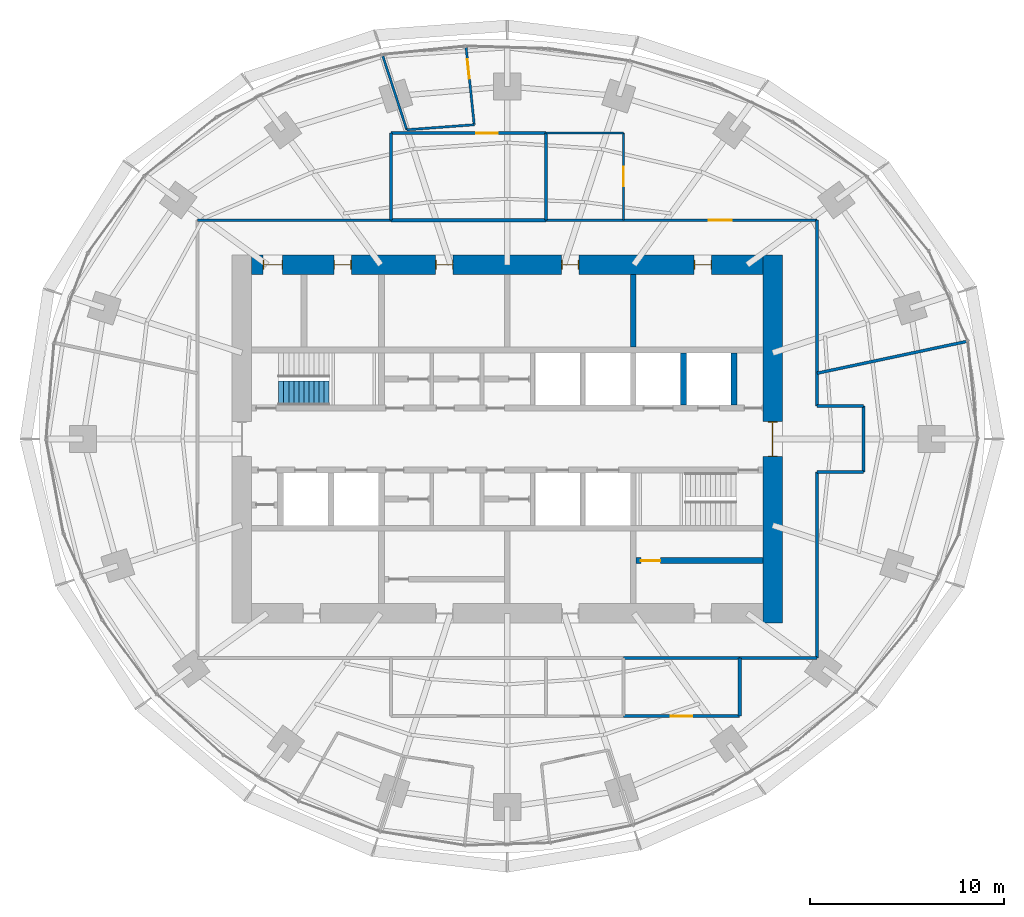
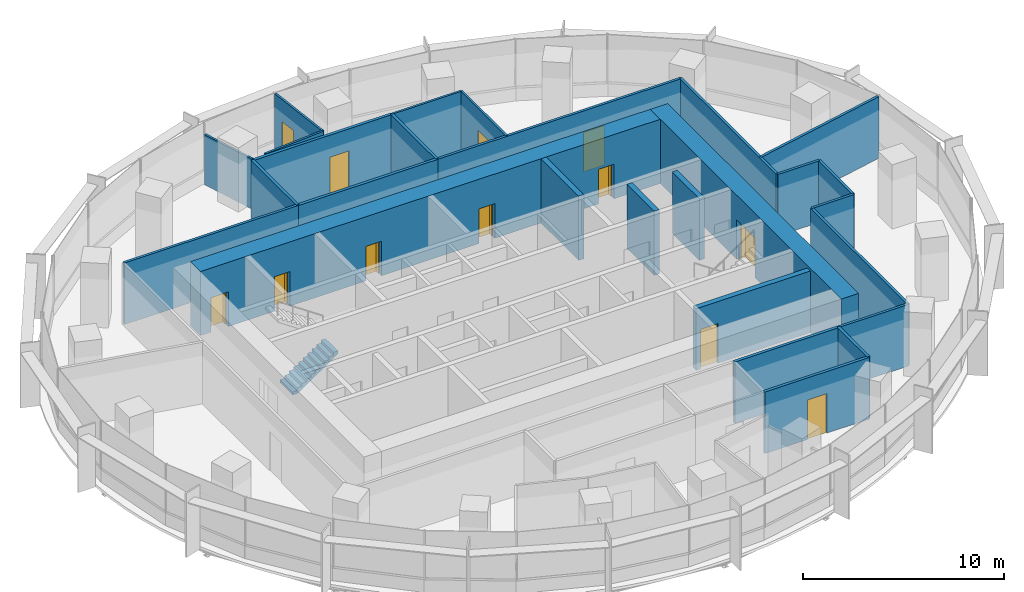
# One storey, part 12 of 15: 27 walls, 12 doors, 1 stair flight, 12 openings, 1 element without a shape of its own.
"""IFC4 building model written with IfcOpenShell, lengths in metres."""

from ifc_helpers import new_model, si_unit, direction, frame, frame_2d, origin, place, context, subcontext, project, spatial, polyline, rectangle, outline, extrude, material, layer, layer_set, type_object, element, fill, aggregate, save


model = new_model("IFC4")

# Units and contexts
model_context = context("Model", 3, precision=1e-05, world=origin(), true_north=direction((0.0, 1.0)))
body_context = subcontext(model_context, "Body", "Model", "MODEL_VIEW")
ifc_project = project(units=[si_unit("LENGTHUNIT", "METRE"), si_unit("AREAUNIT", "SQUARE_METRE"), si_unit("VOLUMEUNIT", "CUBIC_METRE"), si_unit("PLANEANGLEUNIT", "RADIAN"), si_unit("MASSUNIT", "GRAM", prefix="KILO")], contexts=[model_context])

# Site, building, storey
site_placement = place(None, origin())
site = spatial("IfcSite", under=ifc_project, at=site_placement, CompositionType="ELEMENT")
building_placement = place(site_placement, origin())
building = spatial("IfcBuilding", under=site, at=building_placement, Name="Marramba Exchange Tower", CompositionType="ELEMENT")
storey_placement = place(building_placement, frame((0.0, 0.0, 230.60009765625)))
storey = spatial("IfcBuildingStorey", under=building, at=storey_placement, Name="L56", CompositionType="ELEMENT", Elevation=230.60009765625)

# Wall, opening, door
ifc_material_1 = material(Name="Plasterboard on staggered double steel studs, acoustic insulation", Category="steel")
ifc_layer_1 = layer(ifc_material_1, 0.169921875)
ifc_layer_set_1 = layer_set([ifc_layer_1], Name="Acoustic partition 170")
wall_type_1 = type_object("IfcWallType", Name="Acoustic partition 170", PredefinedType="PARTITIONING", material=ifc_layer_set_1)
wall_1_placement = place(storey_placement, frame((6.0, -14.300048828125, 0.0), z_axis=(0.0, 0.0, 1.0), x_axis=(1.0, 0.0, 0.0)))
wall_1 = element("IfcWall", 1, at=wall_1_placement, inside=storey, type_object=wall_type_1, Name="Acoustic partition L56 17", PredefinedType="PARTITIONING", context=body_context, shape_type="SweptSolid", body=[
    extrude(rectangle(XDim=6.0, YDim=0.169921875, at=frame_2d((3.0, 0.0))), origin(), (0.0, 0.0, 1.0), 3.739990234375),
])
opening_1_placement = place(wall_1_placement, frame((2.449951171875, 0.0, 0.0)))
opening_1 = element("IfcOpeningElement", 2, at=opening_1_placement, cuts=wall_1, Name="Opening D15", PredefinedType="OPENING", context=body_context, shape_type="SweptSolid", body=[
    extrude(rectangle(XDim=1.10009765625, YDim=2.39990234375, at=frame_2d((0.550048828125, 1.199951171875))), frame((0.0, 0.094970703125, 0.0), z_axis=(0.0, -1.0, 0.0), x_axis=(1.0, 0.0, 0.0)), (0.0, 0.0, 1.0), 0.18994140625),
])
ifc_material_2 = material(Name="Timber door", Category="wood")
door_type_1 = type_object("IfcDoorType", Name="Glazed meeting room door 1100x2400", OperationType="SINGLE_SWING_LEFT", PredefinedType="DOOR", material=ifc_material_2)
door_1_placement = place(opening_1_placement, origin())
door_1 = element("IfcDoor", 3, at=door_1_placement, inside=storey, type_object=door_type_1, Name="D15 Meeting Room 3 L56", OperationType="SINGLE_SWING_RIGHT", OverallHeight=2.39990234375, OverallWidth=1.10009765625, PredefinedType="DOOR", context=body_context, shape_type="SweptSolid", body=[
    extrude(rectangle(XDim=1.10009765625, YDim=2.39990234375, at=frame_2d((0.550048828125, 1.199951171875))), frame((0.0, 0.02490234375, 0.0), z_axis=(0.0, -1.0, 0.0), x_axis=(1.0, 0.0, 0.0)), (0.0, 0.0, 1.0), 0.050048828125),
])
fill(opening_1, door_1)

# Walls
wall_2_placement = place(storey_placement, frame((12.0, -11.300048828125, 0.0), z_axis=(0.0, 0.0, 1.0), x_axis=(-1.0, 0.0, 0.0)))
element("IfcWall", 4, at=wall_2_placement, inside=storey, type_object=wall_type_1, Name="Acoustic partition L56 18", PredefinedType="PARTITIONING", context=body_context, shape_type="SweptSolid", body=[
    extrude(rectangle(XDim=6.0, YDim=0.169921875, at=frame_2d((3.0, 0.0))), origin(), (0.0, 0.0, 1.0), 3.739990234375),
])
wall_3_placement = place(storey_placement, frame((12.0, -14.300048828125, 0.0), z_axis=(0.0, 0.0, 1.0), x_axis=(0.0, 1.0, 0.0)))
element("IfcWall", 5, at=wall_3_placement, inside=storey, type_object=wall_type_1, Name="Acoustic partition L56 19", PredefinedType="PARTITIONING", context=body_context, shape_type="SweptSolid", body=[
    extrude(rectangle(XDim=3.0, YDim=0.169921875, at=frame_2d((1.5, 0.0))), origin(), (0.0, 0.0, 1.0), 3.739990234375),
])
wall_4_placement = place(storey_placement, frame((2.0, 15.800048828125, 0.0), z_axis=(0.0, 0.0, 1.0), x_axis=(0.0, -1.0, 0.0)))
element("IfcWall", 6, at=wall_4_placement, inside=storey, type_object=wall_type_1, Name="Acoustic partition L56 30", PredefinedType="PARTITIONING", context=body_context, shape_type="SweptSolid", body=[
    extrude(rectangle(XDim=4.5, YDim=0.169921875, at=frame_2d((2.25, 0.0))), origin(), (0.0, 0.0, 1.0), 3.739990234375),
])

# Wall, opening, door
wall_5_placement = place(storey_placement, frame((2.0, 15.800048828125, 0.0), z_axis=(0.0, 0.0, 1.0), x_axis=(-1.0, 0.0, 0.0)))
wall_5 = element("IfcWall", 7, at=wall_5_placement, inside=storey, type_object=wall_type_1, Name="Acoustic partition L56 32", PredefinedType="PARTITIONING", context=body_context, shape_type="SweptSolid", body=[
    extrude(rectangle(XDim=8.0, YDim=0.169921875, at=frame_2d((4.0, 0.0))), origin(), (0.0, 0.0, 1.0), 3.739990234375),
])
opening_2_placement = place(wall_5_placement, frame((2.5, 0.0, 0.0)))
opening_2 = element("IfcOpeningElement", 8, at=opening_2_placement, cuts=wall_5, Name="Opening D15", PredefinedType="OPENING", context=body_context, shape_type="SweptSolid", body=[
    extrude(rectangle(XDim=1.10009765625, YDim=2.39990234375, at=frame_2d((0.550048828125, 1.199951171875))), frame((0.0, 0.094970703125, 0.0), z_axis=(0.0, -1.0, 0.0), x_axis=(1.0, 0.0, 0.0)), (0.0, 0.0, 1.0), 0.18994140625),
])
door_2_placement = place(opening_2_placement, origin())
door_2 = element("IfcDoor", 9, at=door_2_placement, inside=storey, type_object=door_type_1, Name="D15 Meeting Room 1 L56", OperationType="SINGLE_SWING_LEFT", OverallHeight=2.39990234375, OverallWidth=1.10009765625, PredefinedType="DOOR", context=body_context, shape_type="SweptSolid", body=[
    extrude(rectangle(XDim=1.10009765625, YDim=2.39990234375, at=frame_2d((0.550048828125, 1.199951171875))), frame((0.0, 0.02490234375, 0.0), z_axis=(0.0, -1.0, 0.0), x_axis=(1.0, 0.0, 0.0)), (0.0, 0.0, 1.0), 0.050048828125),
])
fill(opening_2, door_2)

# Walls
wall_6_placement = place(storey_placement, frame((-6.0, 11.300048828125, 0.0), z_axis=(0.0, 0.0, 1.0), x_axis=(1.0, 0.0, 0.0)))
element("IfcWall", 10, at=wall_6_placement, inside=storey, type_object=wall_type_1, Name="Acoustic partition L56 33", PredefinedType="PARTITIONING", context=body_context, shape_type="SweptSolid", body=[
    extrude(rectangle(XDim=8.0, YDim=0.169921875, at=frame_2d((4.0, 0.0))), origin(), (0.0, 0.0, 1.0), 3.739990234375),
])
wall_7_placement = place(storey_placement, frame((-6.0, 15.800048828125, 0.0), z_axis=(0.0, 0.0, 1.0), x_axis=(0.0, -1.0, 0.0)))
element("IfcWall", 11, at=wall_7_placement, inside=storey, type_object=wall_type_1, Name="Acoustic partition L56 36", PredefinedType="PARTITIONING", context=body_context, shape_type="SweptSolid", body=[
    extrude(rectangle(XDim=4.5, YDim=0.169921875, at=frame_2d((2.25, 0.0))), origin(), (0.0, 0.0, 1.0), 3.739990234375),
])

# Wall, openings, doors
ifc_material_3 = material(Name="Concrete N50", Category="concrete")
ifc_layer_2 = layer(ifc_material_3, 1.0)
ifc_layer_set_2 = layer_set([ifc_layer_2], Name="Core wall 1000")
wall_type_2 = type_object("IfcWallType", Name="Core wall 1000", PredefinedType="SHEAR", material=ifc_layer_set_2)
wall_8_placement = place(storey_placement, frame((13.199951171875, 9.0, 0.0), z_axis=(0.0, 0.0, 1.0), x_axis=(-1.0, 0.0, 0.0)))
wall_8 = element("IfcWall", 12, at=wall_8_placement, inside=storey, type_object=wall_type_2, Name="Core wall N L56", PredefinedType="SHEAR", context=body_context, shape_type="SweptSolid", body=[
    extrude(rectangle(XDim=26.39990234375, YDim=1.0, at=frame_2d((13.199951171875, 0.0))), origin(), (0.0, 0.0, 1.0), 3.89990234375),
])
opening_3_placement = place(wall_8_placement, frame((2.64990234375, 0.0, 0.0)))
opening_3 = element("IfcOpeningElement", 13, at=opening_3_placement, cuts=wall_8, Name="Opening D5", PredefinedType="OPENING", context=body_context, shape_type="SweptSolid", body=[
    extrude(rectangle(XDim=0.89990234375, YDim=2.10009765625, at=frame_2d((0.449951171875, 1.050048828125))), frame((0.0, 0.510009765625, 0.0), z_axis=(0.0, -1.0, 0.0), x_axis=(1.0, 0.0, 0.0)), (0.0, 0.0, 1.0), 1.02001953125),
])
opening_4_placement = place(wall_8_placement, frame((9.5, 0.0, 0.0)))
opening_4 = element("IfcOpeningElement", 14, at=opening_4_placement, cuts=wall_8, Name="Opening D3", PredefinedType="OPENING", context=body_context, shape_type="SweptSolid", body=[
    extrude(rectangle(XDim=0.89990234375, YDim=2.10009765625, at=frame_2d((0.449951171875, 1.050048828125))), frame((0.0, 0.510009765625, 0.0), z_axis=(0.0, -1.0, 0.0), x_axis=(1.0, 0.0, 0.0)), (0.0, 0.0, 1.0), 1.02001953125),
])
opening_5_placement = place(wall_8_placement, frame((16.0, 0.0, 0.0)))
opening_5 = element("IfcOpeningElement", 15, at=opening_5_placement, cuts=wall_8, Name="Opening D3", PredefinedType="OPENING", context=body_context, shape_type="SweptSolid", body=[
    extrude(rectangle(XDim=0.89990234375, YDim=2.10009765625, at=frame_2d((0.449951171875, 1.050048828125))), frame((0.0, 0.510009765625, 0.0), z_axis=(0.0, -1.0, 0.0), x_axis=(1.0, 0.0, 0.0)), (0.0, 0.0, 1.0), 1.02001953125),
])
opening_6_placement = place(wall_8_placement, frame((21.25, 0.0, 0.0)))
opening_6 = element("IfcOpeningElement", 16, at=opening_6_placement, cuts=wall_8, Name="Opening D5", PredefinedType="OPENING", context=body_context, shape_type="SweptSolid", body=[
    extrude(rectangle(XDim=0.89990234375, YDim=2.10009765625, at=frame_2d((0.449951171875, 1.050048828125))), frame((0.0, 0.510009765625, 0.0), z_axis=(0.0, -1.0, 0.0), x_axis=(1.0, 0.0, 0.0)), (0.0, 0.0, 1.0), 1.02001953125),
])
opening_7_placement = place(wall_8_placement, frame((24.800048828125, 0.0, 0.0)))
opening_7 = element("IfcOpeningElement", 17, at=opening_7_placement, cuts=wall_8, Name="Opening D4", PredefinedType="OPENING", context=body_context, shape_type="SweptSolid", body=[
    extrude(rectangle(XDim=1.0, YDim=2.10009765625, at=frame_2d((0.5, 1.050048828125))), frame((0.0, 0.510009765625, 0.0), z_axis=(0.0, -1.0, 0.0), x_axis=(1.0, 0.0, 0.0)), (0.0, 0.0, 1.0), 1.02001953125),
])
ifc_material_4 = material(Name="Steel-framed door", Category="steel")
door_type_2 = type_object("IfcDoorType", Name="Accessible toilet door 1000x2100", OperationType="SINGLE_SWING_LEFT", PredefinedType="DOOR", material=ifc_material_4)
door_3_placement = place(opening_7_placement, origin())
door_3 = element("IfcDoor", 18, at=door_3_placement, inside=storey, type_object=door_type_2, Name="D4 awc L56", OperationType="SINGLE_SWING_RIGHT", OverallHeight=2.10009765625, OverallWidth=1.0, PredefinedType="DOOR", context=body_context, shape_type="SweptSolid", body=[
    extrude(rectangle(XDim=0.919921875, YDim=2.06005859375, at=frame_2d((0.5, 1.030029296875))), frame((0.0, 0.02490234375, 0.0), z_axis=(0.0, -1.0, 0.0), x_axis=(1.0, 0.0, 0.0)), (0.0, 0.0, 1.0), 0.050048828125),
    extrude(rectangle(XDim=0.04, YDim=2.10009765625, at=frame_2d((0.02001953125, 1.050048828125))), frame((0.0, 0.25, 0.0), z_axis=(0.0, -1.0, 0.0), x_axis=(1.0, 0.0, 0.0)), (0.0, 0.0, 1.0), 0.5),
    extrude(rectangle(XDim=0.04, YDim=2.10009765625, at=frame_2d((0.97998046875, 1.050048828125))), frame((0.0, 0.25, 0.0), z_axis=(0.0, -1.0, 0.0), x_axis=(1.0, 0.0, 0.0)), (0.0, 0.0, 1.0), 0.5),
    extrude(rectangle(XDim=0.919921875, YDim=0.04, at=frame_2d((0.5, 2.080078125))), frame((0.0, 0.25, 0.0), z_axis=(0.0, -1.0, 0.0), x_axis=(1.0, 0.0, 0.0)), (0.0, 0.0, 1.0), 0.5),
])
fill(opening_7, door_3)
door_type_3 = type_object("IfcDoorType", Name="Service door 900x2100", OperationType="SINGLE_SWING_LEFT", PredefinedType="DOOR", material=ifc_material_4)
door_4_placement = place(opening_3_placement, origin())
door_4 = element("IfcDoor", 19, at=door_4_placement, inside=storey, type_object=door_type_3, Name="D5 comms L56", OperationType="SINGLE_SWING_LEFT", OverallHeight=2.10009765625, OverallWidth=0.89990234375, PredefinedType="DOOR", context=body_context, shape_type="SweptSolid", body=[
    extrude(rectangle(XDim=0.81982421875, YDim=2.06005859375, at=frame_2d((0.449951171875, 1.030029296875))), frame((0.0, 0.02490234375, 0.0), z_axis=(0.0, -1.0, 0.0), x_axis=(1.0, 0.0, 0.0)), (0.0, 0.0, 1.0), 0.050048828125),
    extrude(rectangle(XDim=0.04, YDim=2.10009765625, at=frame_2d((0.02001953125, 1.050048828125))), frame((0.0, 0.25, 0.0), z_axis=(0.0, -1.0, 0.0), x_axis=(1.0, 0.0, 0.0)), (0.0, 0.0, 1.0), 0.5),
    extrude(rectangle(XDim=0.04, YDim=2.10009765625, at=frame_2d((0.8798828125, 1.050048828125))), frame((0.0, 0.25, 0.0), z_axis=(0.0, -1.0, 0.0), x_axis=(1.0, 0.0, 0.0)), (0.0, 0.0, 1.0), 0.5),
    extrude(rectangle(XDim=0.81982421875, YDim=0.04, at=frame_2d((0.449951171875, 2.080078125))), frame((0.0, 0.25, 0.0), z_axis=(0.0, -1.0, 0.0), x_axis=(1.0, 0.0, 0.0)), (0.0, 0.0, 1.0), 0.5),
])
fill(opening_3, door_4)
door_5_placement = place(opening_6_placement, origin())
door_5 = element("IfcDoor", 20, at=door_5_placement, inside=storey, type_object=door_type_3, Name="D5 cleaner L56", OperationType="SINGLE_SWING_RIGHT", OverallHeight=2.10009765625, OverallWidth=0.89990234375, PredefinedType="DOOR", context=body_context, shape_type="SweptSolid", body=[
    extrude(rectangle(XDim=0.81982421875, YDim=2.06005859375, at=frame_2d((0.449951171875, 1.030029296875))), frame((0.0, 0.02490234375, 0.0), z_axis=(0.0, -1.0, 0.0), x_axis=(1.0, 0.0, 0.0)), (0.0, 0.0, 1.0), 0.050048828125),
    extrude(rectangle(XDim=0.04, YDim=2.10009765625, at=frame_2d((0.02001953125, 1.050048828125))), frame((0.0, 0.25, 0.0), z_axis=(0.0, -1.0, 0.0), x_axis=(1.0, 0.0, 0.0)), (0.0, 0.0, 1.0), 0.5),
    extrude(rectangle(XDim=0.04, YDim=2.10009765625, at=frame_2d((0.8798828125, 1.050048828125))), frame((0.0, 0.25, 0.0), z_axis=(0.0, -1.0, 0.0), x_axis=(1.0, 0.0, 0.0)), (0.0, 0.0, 1.0), 0.5),
    extrude(rectangle(XDim=0.81982421875, YDim=0.04, at=frame_2d((0.449951171875, 2.080078125))), frame((0.0, 0.25, 0.0), z_axis=(0.0, -1.0, 0.0), x_axis=(1.0, 0.0, 0.0)), (0.0, 0.0, 1.0), 0.5),
])
fill(opening_6, door_5)
door_type_4 = type_object("IfcDoorType", Name="Toilet door 900x2100", OperationType="SINGLE_SWING_LEFT", PredefinedType="DOOR", material=ifc_material_4)
door_6_placement = place(opening_4_placement, origin())
door_6 = element("IfcDoor", 21, at=door_6_placement, inside=storey, type_object=door_type_4, Name="D3 wc-f L56", OperationType="SINGLE_SWING_RIGHT", OverallHeight=2.10009765625, OverallWidth=0.89990234375, PredefinedType="DOOR", context=body_context, shape_type="SweptSolid", body=[
    extrude(rectangle(XDim=0.81982421875, YDim=2.06005859375, at=frame_2d((0.449951171875, 1.030029296875))), frame((0.0, 0.02490234375, 0.0), z_axis=(0.0, -1.0, 0.0), x_axis=(1.0, 0.0, 0.0)), (0.0, 0.0, 1.0), 0.050048828125),
    extrude(rectangle(XDim=0.04, YDim=2.10009765625, at=frame_2d((0.02001953125, 1.050048828125))), frame((0.0, 0.25, 0.0), z_axis=(0.0, -1.0, 0.0), x_axis=(1.0, 0.0, 0.0)), (0.0, 0.0, 1.0), 0.5),
    extrude(rectangle(XDim=0.04, YDim=2.10009765625, at=frame_2d((0.8798828125, 1.050048828125))), frame((0.0, 0.25, 0.0), z_axis=(0.0, -1.0, 0.0), x_axis=(1.0, 0.0, 0.0)), (0.0, 0.0, 1.0), 0.5),
    extrude(rectangle(XDim=0.81982421875, YDim=0.04, at=frame_2d((0.449951171875, 2.080078125))), frame((0.0, 0.25, 0.0), z_axis=(0.0, -1.0, 0.0), x_axis=(1.0, 0.0, 0.0)), (0.0, 0.0, 1.0), 0.5),
])
fill(opening_4, door_6)
door_7_placement = place(opening_5_placement, origin())
door_7 = element("IfcDoor", 22, at=door_7_placement, inside=storey, type_object=door_type_4, Name="D3 wc-m L56", OperationType="SINGLE_SWING_RIGHT", OverallHeight=2.10009765625, OverallWidth=0.89990234375, PredefinedType="DOOR", context=body_context, shape_type="SweptSolid", body=[
    extrude(rectangle(XDim=0.81982421875, YDim=2.06005859375, at=frame_2d((0.449951171875, 1.030029296875))), frame((0.0, 0.02490234375, 0.0), z_axis=(0.0, -1.0, 0.0), x_axis=(1.0, 0.0, 0.0)), (0.0, 0.0, 1.0), 0.050048828125),
    extrude(rectangle(XDim=0.04, YDim=2.10009765625, at=frame_2d((0.02001953125, 1.050048828125))), frame((0.0, 0.25, 0.0), z_axis=(0.0, -1.0, 0.0), x_axis=(1.0, 0.0, 0.0)), (0.0, 0.0, 1.0), 0.5),
    extrude(rectangle(XDim=0.04, YDim=2.10009765625, at=frame_2d((0.8798828125, 1.050048828125))), frame((0.0, 0.25, 0.0), z_axis=(0.0, -1.0, 0.0), x_axis=(1.0, 0.0, 0.0)), (0.0, 0.0, 1.0), 0.5),
    extrude(rectangle(XDim=0.81982421875, YDim=0.04, at=frame_2d((0.449951171875, 2.080078125))), frame((0.0, 0.25, 0.0), z_axis=(0.0, -1.0, 0.0), x_axis=(1.0, 0.0, 0.0)), (0.0, 0.0, 1.0), 0.5),
])
fill(opening_5, door_7)

# Wall, opening, door
wall_9_placement = place(storey_placement, frame((13.699951171875, -9.5, 0.0), z_axis=(0.0, 0.0, 1.0), x_axis=(0.0, 1.0, 0.0)))
wall_9 = element("IfcWall", 23, at=wall_9_placement, inside=storey, type_object=wall_type_2, Name="Core wall E L56", PredefinedType="SHEAR", context=body_context, shape_type="SweptSolid", body=[
    extrude(rectangle(XDim=19.0, YDim=1.0, at=frame_2d((9.5, 0.0))), origin(), (0.0, 0.0, 1.0), 3.89990234375),
])
opening_8_placement = place(wall_9_placement, frame((8.60009765625, 0.0, 0.0)))
opening_8 = element("IfcOpeningElement", 24, at=opening_8_placement, cuts=wall_9, Name="Opening D1", PredefinedType="OPENING", context=body_context, shape_type="SweptSolid", body=[
    extrude(rectangle(XDim=1.800048828125, YDim=2.39990234375, at=frame_2d((0.89990234375, 1.199951171875))), frame((0.0, 0.510009765625, 0.0), z_axis=(0.0, -1.0, 0.0), x_axis=(1.0, 0.0, 0.0)), (0.0, 0.0, 1.0), 1.02001953125),
])
door_type_5 = type_object("IfcDoorType", Name="Lobby exit door 1800x2400", OperationType="DOUBLE_DOOR_SINGLE_SWING", PredefinedType="DOOR", material=ifc_material_4)
door_8_placement = place(opening_8_placement, origin())
door_8 = element("IfcDoor", 25, at=door_8_placement, inside=storey, type_object=door_type_5, Name="D1 lobby exit east L56", OperationType="DOUBLE_DOOR_SINGLE_SWING", OverallHeight=2.39990234375, OverallWidth=1.800048828125, PredefinedType="DOOR", context=body_context, shape_type="SweptSolid", body=[
    extrude(rectangle(XDim=1.719970703125, YDim=2.35986328125, at=frame_2d((0.89990234375, 1.179931640625))), frame((0.0, 0.02490234375, 0.0), z_axis=(0.0, -1.0, 0.0), x_axis=(1.0, 0.0, 0.0)), (0.0, 0.0, 1.0), 0.050048828125),
    extrude(rectangle(XDim=0.04, YDim=2.39990234375, at=frame_2d((0.02001953125, 1.199951171875))), frame((0.0, 0.25, 0.0), z_axis=(0.0, -1.0, 0.0), x_axis=(1.0, 0.0, 0.0)), (0.0, 0.0, 1.0), 0.5),
    extrude(rectangle(XDim=0.04, YDim=2.39990234375, at=frame_2d((1.780029296875, 1.199951171875))), frame((0.0, 0.25, 0.0), z_axis=(0.0, -1.0, 0.0), x_axis=(1.0, 0.0, 0.0)), (0.0, 0.0, 1.0), 0.5),
    extrude(rectangle(XDim=1.719970703125, YDim=0.04, at=frame_2d((0.89990234375, 2.3798828125))), frame((0.0, 0.25, 0.0), z_axis=(0.0, -1.0, 0.0), x_axis=(1.0, 0.0, 0.0)), (0.0, 0.0, 1.0), 0.5),
])
fill(opening_8, door_8)

# Walls
ifc_layer_3 = layer(ifc_material_3, 0.300048828125)
ifc_layer_set_3 = layer_set([ifc_layer_3], Name="Core wall 300")
wall_type_3 = type_object("IfcWallType", Name="Core wall 300", PredefinedType="SHEAR", material=ifc_layer_set_3)
wall_10_placement = place(storey_placement, frame((6.5, 4.75, 0.0), z_axis=(0.0, 0.0, 1.0), x_axis=(0.0, 1.0, 0.0)))
element("IfcWall", 26, at=wall_10_placement, inside=storey, type_object=wall_type_3, Name="Core wall X1Nb L56", PredefinedType="SHEAR", context=body_context, shape_type="SweptSolid", body=[
    extrude(rectangle(XDim=3.75, YDim=0.300048828125, at=frame_2d((1.875, 0.0))), origin(), (0.0, 0.0, 1.0), 3.89990234375),
])
wall_11_placement = place(storey_placement, frame((9.10009765625, 1.75, 0.0), z_axis=(0.0, 0.0, 1.0), x_axis=(0.0, 1.0, 0.0)))
element("IfcWall", 27, at=wall_11_placement, inside=storey, type_object=wall_type_3, Name="Core wall ED L56", PredefinedType="SHEAR", context=body_context, shape_type="SweptSolid", body=[
    extrude(rectangle(XDim=2.699951171875, YDim=0.300048828125, at=frame_2d((1.35009765625, 0.0))), origin(), (0.0, 0.0, 1.0), 3.89990234375),
])
ifc_material_5 = material(Name="Core-filled concrete blockwork", Category="masonry")
ifc_layer_4 = layer(ifc_material_5, 0.300048828125)
ifc_layer_set_4 = layer_set([ifc_layer_4], Name="Lift shaft wall 300")
wall_type_4 = type_object("IfcWallType", Name="Lift shaft wall 300", PredefinedType="SOLIDWALL", material=ifc_layer_set_4)
wall_12_placement = place(storey_placement, frame((11.699951171875, 1.75, 0.0), z_axis=(0.0, 0.0, 1.0), x_axis=(0.0, 1.0, 0.0)))
element("IfcWall", 28, at=wall_12_placement, inside=storey, type_object=wall_type_4, Name="Lift shaft wall E1 L56", PredefinedType="SOLIDWALL", context=body_context, shape_type="SweptSolid", body=[
    extrude(rectangle(XDim=2.699951171875, YDim=0.300048828125, at=frame_2d((1.35009765625, 0.0))), origin(), (0.0, 0.0, 1.0), 3.739990234375),
])

# Wall, opening, door
ifc_material_6 = material(Name="Plasterboard on steel studs", Category="steel")
ifc_layer_5 = layer(ifc_material_6, 0.1201171875)
ifc_layer_set_5 = layer_set([ifc_layer_5], Name="Partition 120")
wall_type_5 = type_object("IfcWallType", Name="Partition 120", PredefinedType="PARTITIONING", material=ifc_layer_set_5)
wall_13_placement = place(storey_placement, frame((6.0, 11.300048828125, 0.0), z_axis=(0.0, 0.0, 1.0), x_axis=(0.0, 1.0, 0.0)))
wall_13 = element("IfcWall", 29, at=wall_13_placement, inside=storey, type_object=wall_type_5, Name="Partition L56 28", PredefinedType="PARTITIONING", context=body_context, shape_type="SweptSolid", body=[
    extrude(rectangle(XDim=4.5, YDim=0.1201171875, at=frame_2d((2.25, 0.0))), origin(), (0.0, 0.0, 1.0), 3.739990234375),
])
opening_9_placement = place(wall_13_placement, frame((1.75, 0.0, 0.0)))
opening_9 = element("IfcOpeningElement", 30, at=opening_9_placement, cuts=wall_13, Name="Opening D9", PredefinedType="OPENING", context=body_context, shape_type="SweptSolid", body=[
    extrude(rectangle(XDim=1.0, YDim=2.39990234375, at=frame_2d((0.5, 1.199951171875))), frame((0.0, 0.070068359375, 0.0), z_axis=(0.0, -1.0, 0.0), x_axis=(1.0, 0.0, 0.0)), (0.0, 0.0, 1.0), 0.14013671875),
])
door_type_6 = type_object("IfcDoorType", Name="Room door 1000x2400", OperationType="SINGLE_SWING_LEFT", PredefinedType="DOOR", material=ifc_material_2)
door_9_placement = place(opening_9_placement, origin())
door_9 = element("IfcDoor", 31, at=door_9_placement, inside=storey, type_object=door_type_6, Name="D9 Pantry 1 L56", OperationType="SINGLE_SWING_RIGHT", OverallHeight=2.39990234375, OverallWidth=1.0, PredefinedType="DOOR", context=body_context, shape_type="SweptSolid", body=[
    extrude(rectangle(XDim=1.0, YDim=2.39990234375, at=frame_2d((0.5, 1.199951171875))), frame((0.0, 0.02490234375, 0.0), z_axis=(0.0, -1.0, 0.0), x_axis=(1.0, 0.0, 0.0)), (0.0, 0.0, 1.0), 0.050048828125),
])
fill(opening_9, door_9)

# Wall
wall_14_placement = place(storey_placement, frame((6.0, 15.800048828125, 0.0), z_axis=(0.0, 0.0, 1.0), x_axis=(-1.0, 0.0, 0.0)))
element("IfcWall", 32, at=wall_14_placement, inside=storey, type_object=wall_type_5, Name="Partition L56 29", PredefinedType="PARTITIONING", context=body_context, shape_type="SweptSolid", body=[
    extrude(rectangle(XDim=4.0, YDim=0.1201171875, at=frame_2d((2.0, 0.0))), origin(), (0.0, 0.0, 1.0), 3.739990234375),
])

# Wall, opening, door
wall_15_placement = place(storey_placement, frame((-1.705810546875, 16.22900390625, 0.0), z_axis=(0.0, 0.0, 1.0), x_axis=(-0.104494148666, 0.99452550138, 0.0)))
wall_15 = element("IfcWall", 33, at=wall_15_placement, inside=storey, type_object=wall_type_5, Name="Partition L56 31", PredefinedType="PARTITIONING", context=body_context, shape_type="SweptSolid", body=[
    extrude(rectangle(XDim=4.0, YDim=0.1201171875, at=frame_2d((2.0, 0.0))), origin(), (0.0, 0.0, 1.0), 3.739990234375),
])
opening_10_placement = place(wall_15_placement, frame((2.39990234375, 0.0, 0.0)))
opening_10 = element("IfcOpeningElement", 34, at=opening_10_placement, cuts=wall_15, Name="Opening D9", PredefinedType="OPENING", context=body_context, shape_type="SweptSolid", body=[
    extrude(rectangle(XDim=1.0, YDim=2.39990234375, at=frame_2d((0.5, 1.199951171875))), frame((0.0, 0.070068359375, 0.0), z_axis=(0.0, -1.0, 0.0), x_axis=(1.0, 0.0, 0.0)), (0.0, 0.0, 1.0), 0.14013671875),
])
door_10_placement = place(opening_10_placement, origin())
door_10 = element("IfcDoor", 35, at=door_10_placement, inside=storey, type_object=door_type_6, Name="D9 Office 1 L56", OperationType="SINGLE_SWING_RIGHT", OverallHeight=2.39990234375, OverallWidth=1.0, PredefinedType="DOOR", context=body_context, shape_type="SweptSolid", body=[
    extrude(rectangle(XDim=1.0, YDim=2.39990234375, at=frame_2d((0.5, 1.199951171875))), frame((0.0, 0.02490234375, 0.0), z_axis=(0.0, -1.0, 0.0), x_axis=(1.0, 0.0, 0.0)), (0.0, 0.0, 1.0), 0.050048828125),
])
fill(opening_10, door_10)

# Walls
wall_16_placement = place(storey_placement, frame((-5.1884765625, 15.96875, 0.0), z_axis=(0.0, 0.0, 1.0), x_axis=(0.997219476507, 0.074520572167, 0.0)))
element("IfcWall", 36, at=wall_16_placement, inside=storey, type_object=wall_type_5, Name="Partition L56 34", PredefinedType="PARTITIONING", context=body_context, shape_type="SweptSolid", body=[
    extrude(rectangle(XDim=3.492431640625, YDim=0.1201171875, at=frame_2d((1.74609375, 0.0))), origin(), (0.0, 0.0, 1.0), 3.739990234375),
])
wall_17_placement = place(storey_placement, frame((-6.424560546875, 19.77294921875, 0.0), z_axis=(0.0, 0.0, 1.0), x_axis=(0.309022586479, -0.951054699292, 0.0)))
element("IfcWall", 37, at=wall_17_placement, inside=storey, type_object=wall_type_5, Name="Partition L56 35", PredefinedType="PARTITIONING", context=body_context, shape_type="SweptSolid", body=[
    extrude(rectangle(XDim=4.0, YDim=0.1201171875, at=frame_2d((2.0, 0.0))), origin(), (0.0, 0.0, 1.0), 3.039794921875),
])

# Wall, opening, door
ifc_material_7 = material(Name="Plasterboard on steel studs, insulated, unrated", Category="steel")
ifc_layer_6 = layer(ifc_material_7, 0.300048828125)
ifc_layer_set_6 = layer_set([ifc_layer_6], Name="Store partition 300")
wall_type_6 = type_object("IfcWallType", Name="Store partition 300", PredefinedType="PARTITIONING", material=ifc_layer_set_6)
wall_18_placement = place(storey_placement, frame((6.64990234375, -6.27197265625, 0.0), z_axis=(0.0, 0.0, 1.0), x_axis=(1.0, 0.0, 0.0)))
wall_18 = element("IfcWall", 38, at=wall_18_placement, inside=storey, type_object=wall_type_6, Name="Store partition L56 cstore", PredefinedType="PARTITIONING", context=body_context, shape_type="SweptSolid", body=[
    extrude(rectangle(XDim=6.550048828125, YDim=0.300048828125, at=frame_2d((3.27490234375, 0.0))), origin(), (0.0, 0.0, 1.0), 3.739990234375),
])
opening_11_placement = place(wall_18_placement, frame((0.25, 0.0, 0.0)))
opening_11 = element("IfcOpeningElement", 39, at=opening_11_placement, cuts=wall_18, Name="Opening D9", PredefinedType="OPENING", context=body_context, shape_type="SweptSolid", body=[
    extrude(rectangle(XDim=1.0, YDim=2.39990234375, at=frame_2d((0.5, 1.199951171875))), frame((0.0, 0.159912109375, 0.0), z_axis=(0.0, -1.0, 0.0), x_axis=(1.0, 0.0, 0.0)), (0.0, 0.0, 1.0), 0.320068359375),
])
door_11_placement = place(opening_11_placement, origin())
door_11 = element("IfcDoor", 40, at=door_11_placement, inside=storey, type_object=door_type_6, Name="D9 general store L56", OperationType="SINGLE_SWING_LEFT", OverallHeight=2.39990234375, OverallWidth=1.0, PredefinedType="DOOR", context=body_context, shape_type="SweptSolid", body=[
    extrude(rectangle(XDim=1.0, YDim=2.39990234375, at=frame_2d((0.5, 1.199951171875))), frame((0.0, 0.02490234375, 0.0), z_axis=(0.0, -1.0, 0.0), x_axis=(1.0, 0.0, 0.0)), (0.0, 0.0, 1.0), 0.050048828125),
])
fill(opening_11, door_11)

# Walls
ifc_material_8 = material(Name="Fire-rated plasterboard on steel studs, acoustic insulation", Category="steel")
ifc_layer_7 = layer(ifc_material_8, 0.14990234375)
ifc_layer_set_7 = layer_set([ifc_layer_7], Name="Tenancy wall 150")
wall_type_7 = type_object("IfcWallType", Name="Tenancy wall 150", PredefinedType="PARTITIONING", material=ifc_layer_set_7)
wall_19_placement = place(storey_placement, frame((12.0, -11.300048828125, 0.0), z_axis=(0.0, 0.0, 1.0), x_axis=(1.0, 0.0, 0.0)))
element("IfcWall", 41, at=wall_19_placement, inside=storey, type_object=wall_type_7, Name="Tenancy wall L56 20", PredefinedType="PARTITIONING", context=body_context, shape_type="SweptSolid", body=[
    extrude(rectangle(XDim=4.0, YDim=0.14990234375, at=frame_2d((2.0, 0.0))), origin(), (0.0, 0.0, 1.0), 3.739990234375),
])
wall_20_placement = place(storey_placement, frame((16.0, -11.300048828125, 0.0), z_axis=(0.0, 0.0, 1.0), x_axis=(0.0, 1.0, 0.0)))
element("IfcWall", 42, at=wall_20_placement, inside=storey, type_object=wall_type_7, Name="Tenancy wall L56 21", PredefinedType="PARTITIONING", context=body_context, shape_type="SweptSolid", body=[
    extrude(rectangle(XDim=9.60009765625, YDim=0.14990234375, at=frame_2d((4.800048828125, 0.0))), origin(), (0.0, 0.0, 1.0), 3.739990234375),
])
wall_21_placement = place(storey_placement, frame((16.0, -1.699951171875, 0.0), z_axis=(0.0, 0.0, 1.0), x_axis=(1.0, 0.0, 0.0)))
element("IfcWall", 43, at=wall_21_placement, inside=storey, type_object=wall_type_7, Name="Tenancy wall L56 22", PredefinedType="PARTITIONING", context=body_context, shape_type="SweptSolid", body=[
    extrude(rectangle(XDim=2.39990234375, YDim=0.14990234375, at=frame_2d((1.199951171875, 0.0))), origin(), (0.0, 0.0, 1.0), 3.739990234375),
])
wall_22_placement = place(storey_placement, frame((18.39990234375, -1.699951171875, 0.0), z_axis=(0.0, 0.0, 1.0), x_axis=(0.0, 1.0, 0.0)))
element("IfcWall", 44, at=wall_22_placement, inside=storey, type_object=wall_type_7, Name="Tenancy wall L56 23", PredefinedType="PARTITIONING", context=body_context, shape_type="SweptSolid", body=[
    extrude(rectangle(XDim=3.39990234375, YDim=0.14990234375, at=frame_2d((1.699951171875, 0.0))), origin(), (0.0, 0.0, 1.0), 3.739990234375),
])
wall_23_placement = place(storey_placement, frame((18.39990234375, 1.699951171875, 0.0), z_axis=(0.0, 0.0, 1.0), x_axis=(-1.0, 0.0, 0.0)))
element("IfcWall", 45, at=wall_23_placement, inside=storey, type_object=wall_type_7, Name="Tenancy wall L56 24", PredefinedType="PARTITIONING", context=body_context, shape_type="SweptSolid", body=[
    extrude(rectangle(XDim=2.39990234375, YDim=0.14990234375, at=frame_2d((1.199951171875, 0.0))), origin(), (0.0, 0.0, 1.0), 3.739990234375),
])
wall_24_placement = place(storey_placement, frame((23.700439453125, 5.03759765625, 0.0), z_axis=(0.0, 0.0, 1.0), x_axis=(-0.97814915542, -0.20790437646, 0.0)))
element("IfcWall", 46, at=wall_24_placement, inside=storey, type_object=wall_type_7, Name="Tenancy wall L56 25", PredefinedType="PARTITIONING", context=body_context, shape_type="SweptSolid", body=[
    extrude(rectangle(XDim=7.87255859375, YDim=0.14990234375, at=frame_2d((3.936279296875, 0.0))), origin(), (0.0, 0.0, 1.0), 3.739990234375),
])
wall_25_placement = place(storey_placement, frame((16.0, 1.699951171875, 0.0), z_axis=(0.0, 0.0, 1.0), x_axis=(0.0, 1.0, 0.0)))
element("IfcWall", 47, at=wall_25_placement, inside=storey, type_object=wall_type_7, Name="Tenancy wall L56 26", PredefinedType="PARTITIONING", context=body_context, shape_type="SweptSolid", body=[
    extrude(rectangle(XDim=9.60009765625, YDim=0.14990234375, at=frame_2d((4.800048828125, 0.0))), origin(), (0.0, 0.0, 1.0), 3.739990234375),
])

# Wall, opening, door
wall_26_placement = place(storey_placement, frame((16.0, 11.300048828125, 0.0), z_axis=(0.0, 0.0, 1.0), x_axis=(-1.0, 0.0, 0.0)))
wall_26 = element("IfcWall", 48, at=wall_26_placement, inside=storey, type_object=wall_type_7, Name="Tenancy wall L56 27", PredefinedType="PARTITIONING", context=body_context, shape_type="SweptSolid", body=[
    extrude(rectangle(XDim=14.0, YDim=0.14990234375, at=frame_2d((7.0, 0.0))), origin(), (0.0, 0.0, 1.0), 3.739990234375),
])
opening_12_placement = place(wall_26_placement, frame((4.39990234375, 0.0, 0.0)))
opening_12 = element("IfcOpeningElement", 49, at=opening_12_placement, cuts=wall_26, Name="Opening D13", PredefinedType="OPENING", context=body_context, shape_type="SweptSolid", body=[
    extrude(rectangle(XDim=1.199951171875, YDim=2.39990234375, at=frame_2d((0.60009765625, 1.199951171875))), frame((0.0, 0.0849609375, 0.0), z_axis=(0.0, -1.0, 0.0), x_axis=(1.0, 0.0, 0.0)), (0.0, 0.0, 1.0), 0.169921875),
])
door_type_7 = type_object("IfcDoorType", Name="Tenancy entry door 1200x2400", OperationType="SINGLE_SWING_LEFT", PredefinedType="DOOR", material=ifc_material_4)
door_12_placement = place(opening_12_placement, origin())
door_12 = element("IfcDoor", 50, at=door_12_placement, inside=storey, type_object=door_type_7, Name="D13 Office 1 L56", OperationType="SINGLE_SWING_LEFT", OverallHeight=2.39990234375, OverallWidth=1.199951171875, PredefinedType="DOOR", context=body_context, shape_type="SweptSolid", body=[
    extrude(rectangle(XDim=1.199951171875, YDim=2.39990234375, at=frame_2d((0.60009765625, 1.199951171875))), frame((0.0, 0.02490234375, 0.0), z_axis=(0.0, -1.0, 0.0), x_axis=(1.0, 0.0, 0.0)), (0.0, 0.0, 1.0), 0.050048828125),
])
fill(opening_12, door_12)

# Wall
wall_27_placement = place(storey_placement, frame((-6.0, 11.300048828125, 0.0), z_axis=(0.0, 0.0, 1.0), x_axis=(-1.0, 0.0, 0.0)))
element("IfcWall", 51, at=wall_27_placement, inside=storey, type_object=wall_type_7, Name="Tenancy wall L56 37", PredefinedType="PARTITIONING", context=body_context, shape_type="SweptSolid", body=[
    extrude(rectangle(XDim=10.0, YDim=0.14990234375, at=frame_2d((5.0, 0.0))), origin(), (0.0, 0.0, 1.0), 3.739990234375),
])

# Stair, stair flight
ifc_material_9 = material(Name="Concrete N40 (40 MPa)", Category="concrete")
stair_type = type_object("IfcStairType", Name="Exit stair ST1 3900 x 1250", PredefinedType="HALF_TURN_STAIR", material=ifc_material_9)
stair_placement = place(storey_placement, origin())
stair = element("IfcStair", 52, at=stair_placement, inside=storey, type_object=stair_type, Name="Exit stair ST1 L56", PredefinedType="HALF_TURN_STAIR")
stair_flight_type = type_object("IfcStairFlightType", Name="ST1 stair flight 1773 riser 1250 wide", PredefinedType="STRAIGHT", material=ifc_material_9)
stair_flight_placement = place(storey_placement, frame((-11.800048828125, 2.375, 0.0), z_axis=(0.0, 0.0, 1.0), x_axis=(1.0, 0.0, 0.0)))
stair_flight = element("IfcStairFlight", 53, at=stair_flight_placement, type_object=stair_flight_type, Name="ST1 flight 1", NumberOfRisers=11, NumberOfTreads=10, PredefinedType="STRAIGHT", RiserHeight=0.177272727, TreadLength=0.26, context=body_context, shape_type="SweptSolid", body=[
    extrude(outline(polyline([(0.0, 0.0), (0.0, 0.17724609375), (0.260009765625, 0.17724609375), (0.260009765625, 0.3544921875), (0.52001953125, 0.3544921875), (0.52001953125, 0.53173828125), (0.780029296875, 0.53173828125), (0.780029296875, 0.708984375), (1.0400390625, 0.708984375), (1.0400390625, 0.886474609375), (1.300048828125, 0.886474609375), (1.300048828125, 1.063720703125), (1.56005859375, 1.063720703125), (1.56005859375, 1.240966796875), (1.820068359375, 1.240966796875), (1.820068359375, 1.418212890625), (2.080078125, 1.418212890625), (2.080078125, 1.595458984375), (2.340087890625, 1.595458984375), (2.340087890625, 1.772705078125), (2.60009765625, 1.772705078125), (2.60009765625, 1.949951171875), (2.60009765625, 1.59130859375), (0.26611328125, 0.0), (0.0, 0.0)])), frame((0.0, 0.625, 0.0), z_axis=(0.0, -1.0, 0.0), x_axis=(1.0, 0.0, 0.0)), (0.0, 0.0, 1.0), 1.25),
])
aggregate(stair, [stair_flight])

save(model, "model.ifc")
